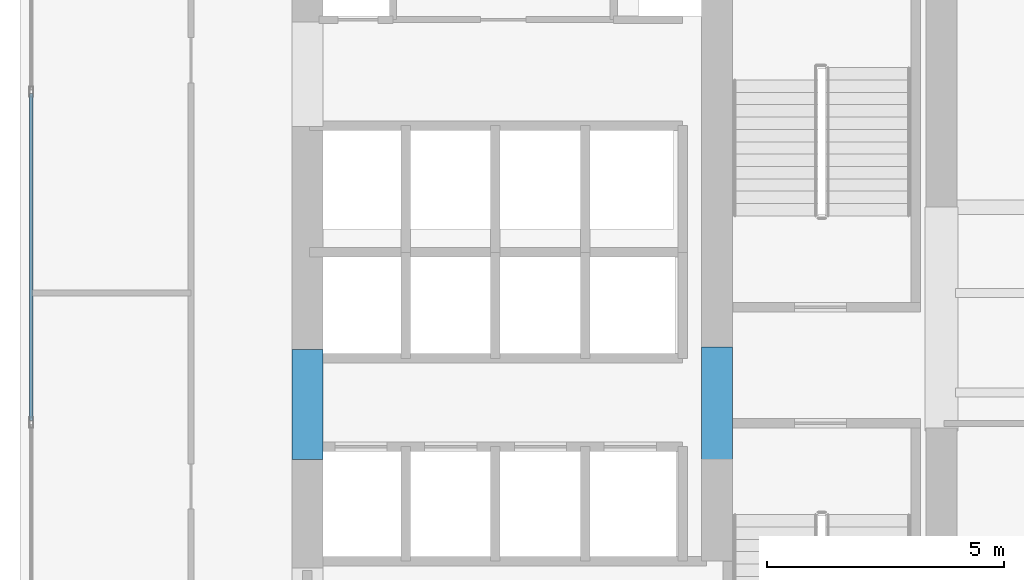
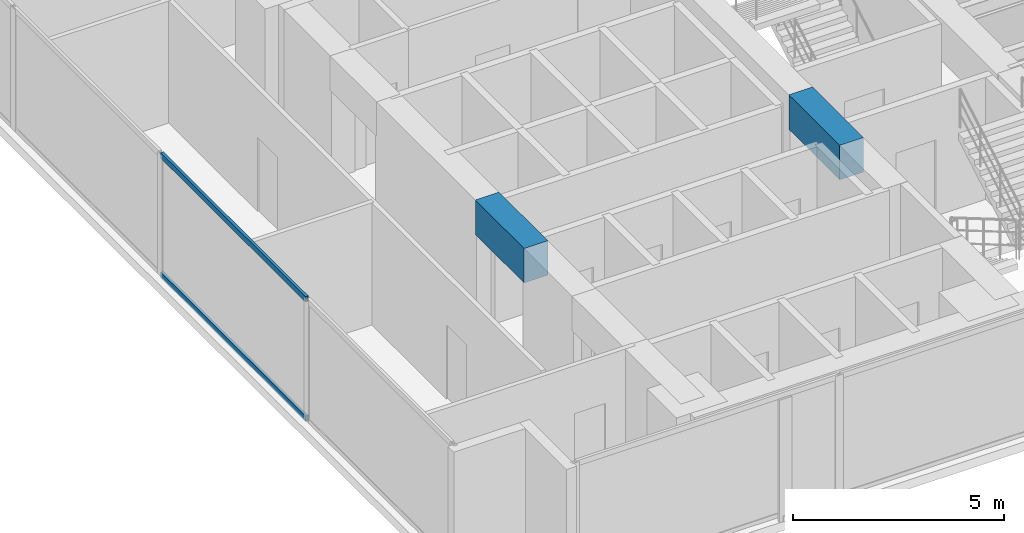
# One storey, part 3 of 24: 2 beams, 2 members, 1 element without a shape of its own.
"""IFC4 building model written with IfcOpenShell, lengths in metres."""

import ifcopenshell
import ifcopenshell.guid

model = None  # the IFC model being written
_history = None  # IfcOwnerHistory: only IFC2X3 demands one
_inside = {}  # id of a spatial element -> (the spatial element, [elements in it])
_under = {}  # id of a project, library or spatial element -> (it, [spatial elements below it])
_declared = {}  # id of a project -> (the project, [libraries it declares])
_typed = {}  # id of a type object -> (the type object, [elements of that type])
_made_of = {}  # id of a material, layer set ... -> (it, [elements and type objects made of it])


def new_model(schema):
    """Start an empty IFC model of exactly this schema.

    Asked for "IFC4X3", IfcOpenShell would pick the latest addendum, in which some entities
    have other attributes; the version numbers below select the first issue.
    IFC2X3 requires an IfcOwnerHistory on every rooted entity: one is made here for all.
    """
    global model, _history
    if schema == "IFC4X3":
        model = ifcopenshell.file(schema_version=(4, 3, 0, 0))
    else:
        model = ifcopenshell.file(schema=schema)
    _inside.clear()
    _under.clear()
    _declared.clear()
    _typed.clear()
    _made_of.clear()
    _history = None
    if model.schema == "IFC2X3":
        org = make("IfcOrganization", Name="unknown")
        user = make(
            "IfcPersonAndOrganization",
            ThePerson=make("IfcPerson", FamilyName="unknown"),
            TheOrganization=org,
        )
        app = make(
            "IfcApplication",
            ApplicationDeveloper=org,
            Version="unknown",
            ApplicationFullName="unknown",
            ApplicationIdentifier="unknown",
        )
        _history = make(
            "IfcOwnerHistory",
            OwningUser=user,
            OwningApplication=app,
            ChangeAction="ADDED",
            CreationDate=0,
        )
    return model


def make(cls, **values):
    """One entity of the class cls with the attributes given. An attribute that is None is left unset."""
    return model.create_entity(
        cls, **{name: value for name, value in values.items() if value is not None}
    )


def rooted(cls, **values):
    """An entity with a GlobalId (a new one), such as an element, a storey or a relation."""
    return make(cls, GlobalId=ifcopenshell.guid.new(), OwnerHistory=_history, **values)


def si_unit(unit_type, name, prefix=None):
    """IfcSIUnit, for example si_unit("LENGTHUNIT", "METRE", prefix="MILLI")."""
    return make("IfcSIUnit", UnitType=unit_type, Prefix=prefix, Name=name)


def assignment(units):
    """IfcUnitAssignment: the units of a project."""
    return None if units is None else make("IfcUnitAssignment", Units=units)


def point(xyz):
    """IfcCartesianPoint."""
    return None if xyz is None else make("IfcCartesianPoint", Coordinates=xyz)


def direction(xyz):
    """IfcDirection."""
    return None if xyz is None else make("IfcDirection", DirectionRatios=xyz)


def frame(location, z_axis=None, x_axis=None):
    """IfcAxis2Placement3D, a coordinate frame: its origin and axes. An axis left out is left unset."""
    return make(
        "IfcAxis2Placement3D",
        Location=point(location),
        Axis=direction(z_axis),
        RefDirection=direction(x_axis),
    )


def frame_2d(location, x_axis=None):
    """IfcAxis2Placement2D, a coordinate frame in the plane: its origin and x axis."""
    return make(
        "IfcAxis2Placement2D", Location=point(location), RefDirection=direction(x_axis)
    )


def origin():
    """The frame at (0, 0, 0) with its axes left unset."""
    return frame((0.0, 0.0, 0.0))


def origin_with_axes():
    """The frame at (0, 0, 0) with the z axis (0, 0, 1) and the x axis (1, 0, 0) written out."""
    return frame((0.0, 0.0, 0.0), z_axis=(0.0, 0.0, 1.0), x_axis=(1.0, 0.0, 0.0))


def origin_2d():
    """The frame at (0, 0) in the plane with its x axis left unset."""
    return frame_2d((0.0, 0.0))


def place(relative_to, where):
    """IfcLocalPlacement: puts the frame where relative to a parent placement (None: the world)."""
    return make(
        "IfcLocalPlacement", PlacementRelTo=relative_to, RelativePlacement=where
    )


def context(
    kind, dimensions, precision=None, world=None, true_north=None, identifier=None
):
    """IfcGeometricRepresentationContext, for example the 3D "Model" context."""
    return make(
        "IfcGeometricRepresentationContext",
        ContextIdentifier=identifier,
        ContextType=kind,
        CoordinateSpaceDimension=dimensions,
        Precision=precision,
        WorldCoordinateSystem=world,
        TrueNorth=true_north,
    )


def subcontext(parent, identifier, kind, view, scale=None):
    """IfcGeometricRepresentationSubContext, for example "Body" below "Model"."""
    return make(
        "IfcGeometricRepresentationSubContext",
        ContextIdentifier=identifier,
        ContextType=kind,
        ParentContext=parent,
        TargetScale=scale,
        TargetView=view,
    )


def project(units=None, contexts=None):
    """IfcProject with its units and contexts."""
    return rooted(
        "IfcProject",
        Name="project",
        RepresentationContexts=contexts,
        UnitsInContext=assignment(units),
    )


def spatial(cls, under=None, at=None, **own):
    """A site, building, storey or space (cls), placed at a placement, below another one or the project."""
    s = rooted(cls, ObjectPlacement=at, **own)
    if under is not None:
        _under.setdefault(under.id(), (under, []))[1].append(s)
    return s


def profile(cls, at=None, kind="AREA", **sizes):
    """A parametric profile (cls). Its sizes go by their IFC names, for example OverallWidth=200.0."""
    return make(cls, ProfileType=kind, Position=at, **sizes)


def rectangle(**sizes):
    """IfcRectangleProfileDef."""
    return profile("IfcRectangleProfileDef", **sizes)


def hollow_rectangle(**sizes):
    """IfcRectangleHollowProfileDef."""
    return profile("IfcRectangleHollowProfileDef", **sizes)


def extrude(swept, where, along, depth):
    """IfcExtrudedAreaSolid: the profile swept, set in the frame where, extruded along a direction by depth."""
    return make(
        "IfcExtrudedAreaSolid",
        SweptArea=swept,
        Position=where,
        ExtrudedDirection=direction(along),
        Depth=depth,
    )


def shape(context_of_items, identifier, shape_type, items):
    """IfcShapeRepresentation: the items that make up one representation, for example the "Body"."""
    return make(
        "IfcShapeRepresentation",
        ContextOfItems=context_of_items,
        RepresentationIdentifier=identifier,
        RepresentationType=shape_type,
        Items=items,
    )


def source(mapping_origin, context_of_items, identifier, shape_type, items):
    """IfcRepresentationMap: a shape defined once, which mapped items show again and again."""
    return make(
        "IfcRepresentationMap",
        MappingOrigin=mapping_origin,
        MappedRepresentation=shape(context_of_items, identifier, shape_type, items),
    )


def transform(
    local_origin,
    x_axis=None,
    y_axis=None,
    z_axis=None,
    scale=None,
    scale2=None,
    scale3=None,
    uniform=True,
):
    """IfcCartesianTransformationOperator3D, or its non-uniform kind. x_axis, y_axis, z_axis: its Axis1, 2, 3."""
    if uniform:
        return make(
            "IfcCartesianTransformationOperator3D",
            Axis1=direction(x_axis),
            Axis2=direction(y_axis),
            LocalOrigin=point(local_origin),
            Scale=scale,
            Axis3=direction(z_axis),
        )
    return make(
        "IfcCartesianTransformationOperator3DnonUniform",
        Axis1=direction(x_axis),
        Axis2=direction(y_axis),
        LocalOrigin=point(local_origin),
        Scale=scale,
        Axis3=direction(z_axis),
        Scale2=scale2,
        Scale3=scale3,
    )


def mapped(mapping_source, mapping_target):
    """IfcMappedItem: shows the shape of a source again, moved by a transform."""
    return make(
        "IfcMappedItem", MappingSource=mapping_source, MappingTarget=mapping_target
    )


def material(Name=None, Category=None):
    """IfcMaterial."""
    return make("IfcMaterial", Name=Name, Category=Category)


def layer(
    of_material, thickness, ventilated=None, Name=None, Category=None, Priority=None
):
    """IfcMaterialLayer: one layer of a wall or slab, of a material (None: an air gap)."""
    return make(
        "IfcMaterialLayer",
        Material=of_material,
        LayerThickness=thickness,
        IsVentilated=ventilated,
        Name=Name,
        Category=Category,
        Priority=Priority,
    )


def layer_set(layers, Name=None):
    """IfcMaterialLayerSet."""
    return make("IfcMaterialLayerSet", MaterialLayers=layers, LayerSetName=Name)


def material_profile(
    of_material, cross_section, Name=None, Category=None, Priority=None
):
    """IfcMaterialProfile: a cross section and its material."""
    return make(
        "IfcMaterialProfile",
        Name=Name,
        Material=of_material,
        Profile=cross_section,
        Priority=Priority,
        Category=Category,
    )


def profile_set(profiles, Name=None, composite=None):
    """IfcMaterialProfileSet."""
    return make(
        "IfcMaterialProfileSet",
        Name=Name,
        MaterialProfiles=profiles,
        CompositeProfile=composite,
    )


def made_of(thing, what):
    """Note that an element or type object is made of a material, layer set ...; save() writes the relation."""
    if what is not None:
        _made_of.setdefault(what.id(), (what, []))[1].append(thing)
    return thing


def type_object(cls, material=None, **own):
    """A type object (cls), such as IfcWallType, which elements share."""
    return made_of(rooted(cls, **own), material)


def element(
    cls,
    number,
    at=None,
    inside=None,
    cuts=None,
    type_object=None,
    material=None,
    context=None,
    identifier="Body",
    shape_type=None,
    held_by="IfcProductDefinitionShape",
    body=None,
    shapes=None,
    **own,
):
    """One element of the class cls, such as IfcWall. Its Tag is "e" and its number.

    at: its placement. inside: the storey or other place that contains it. cuts: it is an
    opening in that element (IfcRelVoidsElement). A single representation is given by context,
    identifier, shape_type and body (its items); several are given by shapes. held_by: the class
    of the entity that holds the representations. save() writes the other relations.
    """
    e = rooted(cls, Tag="e%d" % number, ObjectPlacement=at, **own)
    if body is not None:
        shapes = [shape(context, identifier, shape_type, body)]
    if shapes is not None:
        e.Representation = make(held_by, Representations=shapes)
    if inside is not None:
        _inside.setdefault(inside.id(), (inside, []))[1].append(e)
    if cuts is not None:
        rooted(
            "IfcRelVoidsElement", RelatingBuildingElement=cuts, RelatedOpeningElement=e
        )
    if type_object is not None:
        _typed.setdefault(type_object.id(), (type_object, []))[1].append(e)
    return made_of(e, material)


def aggregate(whole, parts):
    """IfcRelAggregates: a whole, such as a stair, and the parts it consists of."""
    return rooted("IfcRelAggregates", RelatingObject=whole, RelatedObjects=parts)


def save(model, path):
    """Write the relations noted so far, then the file.

    IfcRelAggregates (storeys below a building ...), IfcRelContainedInSpatialStructure (elements
    in a storey), IfcRelDefinesByType, IfcRelAssociatesMaterial and IfcRelDeclares: one each for
    every whole, place, type object, material and project.
    """
    for whole, parts in _under.values():
        aggregate(whole, parts)
    for where, things in _inside.values():
        rooted(
            "IfcRelContainedInSpatialStructure",
            RelatedElements=things,
            RelatingStructure=where,
        )
    for kind, things in _typed.values():
        rooted("IfcRelDefinesByType", RelatedObjects=things, RelatingType=kind)
    for what, things in _made_of.values():
        rooted("IfcRelAssociatesMaterial", RelatedObjects=things, RelatingMaterial=what)
    for by, libraries in _declared.values():
        rooted("IfcRelDeclares", RelatingContext=by, RelatedDefinitions=libraries)
    model.write(path)


model = new_model("IFC4")

# Units and contexts
model_context = context("Model", 3, precision=1e-05, world=origin(), true_north=direction((0.0, 1.0)))
body_context = subcontext(model_context, "Body", "Model", "MODEL_VIEW")
ifc_project = project(units=[si_unit("LENGTHUNIT", "METRE"), si_unit("AREAUNIT", "SQUARE_METRE"), si_unit("VOLUMEUNIT", "CUBIC_METRE"), si_unit("PLANEANGLEUNIT", "RADIAN"), si_unit("MASSUNIT", "GRAM", prefix="KILO")], contexts=[model_context])

# Site, building, storey
site_placement = place(None, origin())
site = spatial("IfcSite", under=ifc_project, at=site_placement, CompositionType="ELEMENT")
building_placement = place(site_placement, origin())
building = spatial("IfcBuilding", under=site, at=building_placement, Name="Kolvaren Waterfront Exchange", CompositionType="ELEMENT")
storey_placement = place(building_placement, frame((0.0, 0.0, 95.5)))
storey = spatial("IfcBuildingStorey", under=building, at=storey_placement, Name="L24", CompositionType="ELEMENT", Elevation=95.5)

# Beams
ifc_material_1 = material(Name="Concrete C60/75", Category="concrete")
ifc_material_profile_1 = material_profile(ifc_material_1, rectangle(XDim=0.64990234375, YDim=1.0, at=origin_2d()), Name="RC-CB-1000x650")
ifc_profile_set_1 = profile_set([ifc_material_profile_1], Name="Concrete C60/75")
beam_type = type_object("IfcBeamType", Name="STR-CB-1000", PredefinedType="SPANDREL", material=ifc_profile_set_1)
beam_1_placement = place(storey_placement, frame((7.449951171875, 12.090087890625, 3.0400390625), z_axis=(0.0, 1.0, 0.0), x_axis=(-1.0, 0.0, 0.0)))
element("IfcBeam", 1, at=beam_1_placement, inside=storey, type_object=beam_type, Name="L24 core coupling beam 4", PredefinedType="SPANDREL", context=body_context, shape_type="SweptSolid", body=[
    extrude(rectangle(XDim=0.64990234375, YDim=1.0, at=origin_2d()), origin(), (0.0, 0.0, 1.0), 2.31982421875),
])
beam_2_placement = place(storey_placement, frame((16.074951171875, 12.0400390625, 3.0400390625), z_axis=(0.0, 1.0, 0.0), x_axis=(-1.0, 0.0, 0.0)))
element("IfcBeam", 2, at=beam_2_placement, inside=storey, type_object=beam_type, Name="L24 core coupling beam 6", PredefinedType="SPANDREL", context=body_context, shape_type="SweptSolid", body=[
    extrude(rectangle(XDim=0.64990234375, YDim=1.0, at=origin_2d()), origin(), (0.0, 0.0, 1.0), 2.419921875),
])

# Curtain wall, members
ifc_material_2 = material(Name="Anodised aluminium 6063-T6", Category="aluminium")
ifc_layer = layer(ifc_material_2, 0.219970703125, Name="Anodised aluminium 6063-T6")
ifc_layer_set = layer_set([ifc_layer], Name="Anodised aluminium 6063-T6")
curtain_wall_type = type_object("IfcCurtainWallType", Name="ARC-CW-SYS2", PredefinedType="USERDEFINED", material=ifc_layer_set)
curtain_wall_placement = place(storey_placement, origin())
curtain_wall = element("IfcCurtainWall", 3, at=curtain_wall_placement, inside=storey, type_object=curtain_wall_type, Name="L24 stick curtain wall CW2 (CW-L24-W)", ObjectType="STICK CURTAIN WALL", PredefinedType="USERDEFINED")
ifc_material_profile_2 = material_profile(ifc_material_2, hollow_rectangle(XDim=0.074951171875, YDim=0.159912109375, WallThickness=0.00439453125, at=origin_2d()), Name="ALU-TRN-160x75x4.5")
ifc_profile_set_2 = profile_set([ifc_material_profile_2], Name="Anodised aluminium 6063-T6")
member_type = type_object("IfcMemberType", Name="ARC-CWT-160", PredefinedType="USERDEFINED", material=ifc_profile_set_2)
shared_shape = source(origin_with_axes(), body_context, "Body", "SweptSolid", [
    extrude(hollow_rectangle(XDim=0.074951171875, YDim=0.159912109375, WallThickness=0.00439453125, at=origin_2d()), origin(), (0.0, 0.0, 1.0), 6.886474609375),
])
member_1_placement = place(storey_placement, frame((1.639892578125, 12.90673828125, 0.03759765625), z_axis=(0.0, 1.0, 0.0), x_axis=(-1.0, 0.0, 0.0)))
member_1 = element("IfcMember", 4, at=member_1_placement, type_object=member_type, Name="CW2 transom 2.1", ObjectType="TRANSOM", PredefinedType="USERDEFINED", context=body_context, shape_type="MappedRepresentation", body=[
    mapped(shared_shape, transform((0.0, 0.0, 0.0), x_axis=(1.0, 0.0, 0.0), y_axis=(0.0, 1.0, 0.0), z_axis=(0.0, 0.0, 1.0), scale=1.0)),
])
member_2_placement = place(storey_placement, frame((1.639892578125, 12.90673828125, 3.50244140625), z_axis=(0.0, 1.0, 0.0), x_axis=(-1.0, 0.0, 0.0)))
member_2 = element("IfcMember", 5, at=member_2_placement, type_object=member_type, Name="CW2 transom 2.2", ObjectType="TRANSOM", PredefinedType="USERDEFINED", context=body_context, shape_type="MappedRepresentation", body=[
    mapped(shared_shape, transform((0.0, 0.0, 0.0), x_axis=(1.0, 0.0, 0.0), y_axis=(0.0, 1.0, 0.0), z_axis=(0.0, 0.0, 1.0), scale=1.0)),
])
aggregate(curtain_wall, [member_1, member_2])

save(model, "model.ifc")
